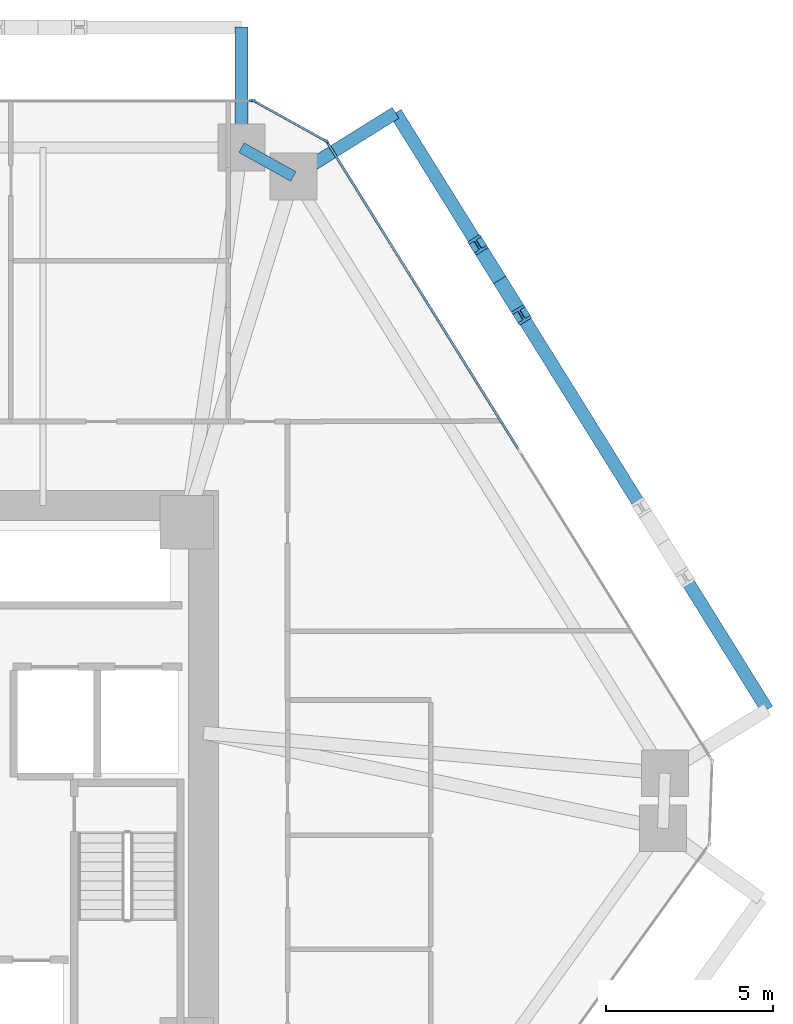
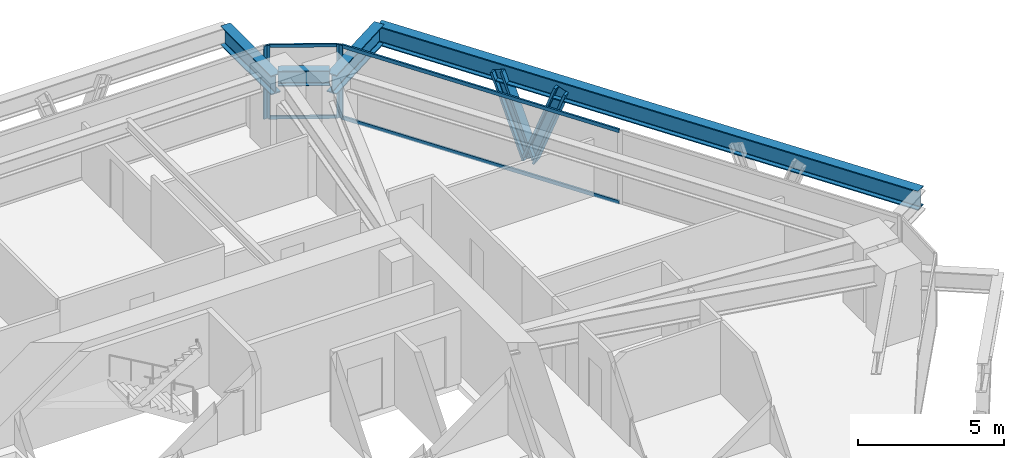
# One storey, part 9 of 15: 10 members, 4 beams, 3 elements without a shape of their own.
"""IFC4 building model written with IfcOpenShell, lengths in metres."""

from ifc_helpers import new_model, si_unit, direction, frame, origin, origin_2d, place, context, subcontext, project, spatial, rectangle, i_section, extrude, source, transform, mapped, material, layer, layer_set, material_profile, profile_set, type_object, type_shapes, element, aggregate, save


model = new_model("IFC4")

# Units and contexts
model_context = context("Model", 3, precision=1e-05, world=origin(), true_north=direction((0.0, 1.0)))
body_context = subcontext(model_context, "Body", "Model", "MODEL_VIEW")
ifc_project = project(units=[si_unit("LENGTHUNIT", "METRE"), si_unit("AREAUNIT", "SQUARE_METRE"), si_unit("VOLUMEUNIT", "CUBIC_METRE"), si_unit("PLANEANGLEUNIT", "RADIAN"), si_unit("MASSUNIT", "GRAM", prefix="KILO")], contexts=[model_context])

# Site, building, storey
site_placement = place(None, origin())
site = spatial("IfcSite", under=ifc_project, at=site_placement, CompositionType="ELEMENT")
building_placement = place(site_placement, origin())
building = spatial("IfcBuilding", under=site, at=building_placement, Name="Durnholm Broadcast Tower", CompositionType="ELEMENT")
storey_placement = place(building_placement, frame((0.0, 0.0, 42.300048828125)))
storey = spatial("IfcBuildingStorey", under=building, at=storey_placement, Name="L09", CompositionType="ELEMENT", Elevation=42.300048828125)

# Beams
ifc_material_1 = material(Name="Steel ASTM A992 Grade 50", Category="steel")
ifc_material_profile_1 = material_profile(ifc_material_1, i_section(OverallWidth=0.3291015625, OverallDepth=0.635009765625, WebThickness=0.017822265625, FlangeThickness=0.031005859375, FilletRadius=0.02783203125, at=origin_2d()), Name="W24X162")
ifc_profile_set_1 = profile_set([ifc_material_profile_1], Name="Steel ASTM A992 Grade 50")
beam_type_1 = type_object("IfcBeamType", Name="STL-SP-W24X162", PredefinedType="SPANDREL", material=ifc_profile_set_1)
shared_shape_1 = source(origin(), body_context, "Body", "SweptSolid", [
    extrude(i_section(OverallWidth=0.3291015625, OverallDepth=0.635009765625, WebThickness=0.017822265625, FlangeThickness=0.031005859375, FilletRadius=0.02783203125, at=origin_2d()), origin(), (0.0, 0.0, 1.0), 1.774658203125),
])
type_shapes(beam_type_1, [shared_shape_1])
beam_1_placement = place(storey_placement, frame((11.43115234375, 19.0, 2.7275390625), z_axis=(0.874248107979, -0.485479397806, 0.0), x_axis=(0.485479397806, 0.874248107979, 0.0)))
element("IfcBeam", 1, at=beam_1_placement, inside=storey, type_object=beam_type_1, Name="L09 perimeter spandrel girder 06", PredefinedType="SPANDREL", context=body_context, shape_type="MappedRepresentation", body=[
    mapped(shared_shape_1, transform((0.0, 0.0, 0.0), x_axis=(1.0, 0.0, 0.0), y_axis=(0.0, 1.0, 0.0), z_axis=(0.0, 0.0, 1.0), scale=1.0)),
])
ifc_material_profile_2 = material_profile(ifc_material_1, i_section(OverallWidth=0.385009765625, OverallDepth=0.802978515625, WebThickness=0.023681640625, FlangeThickness=0.0419921875, FilletRadius=0.032958984375, at=origin_2d()), Name="W30X261")
ifc_profile_set_2 = profile_set([ifc_material_profile_2], Name="Steel ASTM A992 Grade 50")
beam_type_2 = type_object("IfcBeamType", Name="BM-EXO-TIE", PredefinedType="USERDEFINED", material=ifc_profile_set_2)
shared_shape_2 = source(origin(), body_context, "Body", "SweptSolid", [
    extrude(i_section(OverallWidth=0.385009765625, OverallDepth=0.802978515625, WebThickness=0.023681640625, FlangeThickness=0.0419921875, FilletRadius=0.032958984375, at=origin_2d()), origin(), (0.0, 0.0, 1.0), 3.4560546875),
])
for number, where, z_axis, x_axis, name in (
    (2, (13.10498046875, 18.214599609375, 2.30859375), (0.848854443891, 0.528626648105, 0.0), (-0.528626648105, 0.848854443891, 0.0), "L09 exoskeleton stand-off tie bracket F3.2"),
    (3, (11.43115234375, 19.14404296875, 2.30859375), (0.0, 1.0, 0.0), (-1.0, 0.0, 0.0), "L09 exoskeleton stand-off tie bracket F4.1"),
):
    element("IfcBeam", number, at=place(storey_placement, frame(where, z_axis=z_axis, x_axis=x_axis)), inside=storey, type_object=beam_type_2, Name=name, ObjectType="GIRDER", PredefinedType="USERDEFINED", context=body_context, shape_type="MappedRepresentation", body=[
        mapped(shared_shape_2, transform((0.0, 0.0, 0.0), x_axis=(1.0, 0.0, 0.0), y_axis=(0.0, 1.0, 0.0), z_axis=(0.0, 0.0, 1.0), scale=1.0)),
    ])
shared_shape_3 = source(origin(), body_context, "Body", "SweptSolid", [
    extrude(i_section(OverallWidth=0.385009765625, OverallDepth=0.802978515625, WebThickness=0.023681640625, FlangeThickness=0.0419921875, FilletRadius=0.032958984375, at=origin_2d()), origin(), (0.0, 0.0, 1.0), 21.0146484375),
])
type_shapes(beam_type_2, [shared_shape_2, shared_shape_3])
beam_2_placement = place(storey_placement, frame((27.146728515625, 2.20263671875, 2.30859375), z_axis=(-0.528590518575, 0.848876942597, 0.0), x_axis=(-0.848876942597, -0.528590518575, 0.0)))
element("IfcBeam", 4, at=beam_2_placement, inside=storey, type_object=beam_type_2, Name="L09 exoskeleton collector spandrel F3", PredefinedType="SPANDREL", context=body_context, shape_type="MappedRepresentation", body=[
    mapped(shared_shape_3, transform((0.0, 0.0, 0.0), x_axis=(1.0, 0.0, 0.0), y_axis=(0.0, 1.0, 0.0), z_axis=(0.0, 0.0, 1.0), scale=1.0)),
])

# Members
ifc_material_2 = material(Name="Steel ASTM A913 Grade 65", Category="steel")
ifc_material_profile_3 = material_profile(ifc_material_2, i_section(OverallWidth=0.43212890625, OverallDepth=0.497802734375, WebThickness=0.0556640625, FlangeThickness=0.0888671875, FilletRadius=0.030517578125, at=origin_2d()), Name="W14X500")
ifc_profile_set_3 = profile_set([ifc_material_profile_3], Name="Steel ASTM A913 Grade 65")
member_type_1 = type_object("IfcMemberType", Name="STL-DG-W14X500", PredefinedType="BRACE", material=ifc_profile_set_3)
shared_shape_4 = source(origin(), body_context, "Body", "SweptSolid", [
    extrude(i_section(OverallWidth=0.43212890625, OverallDepth=0.497802734375, WebThickness=0.0556640625, FlangeThickness=0.0888671875, FilletRadius=0.030517578125, at=origin_2d()), origin(), (0.0, 0.0, 1.0), 3.523193359375),
])
type_shapes(member_type_1, [shared_shape_4])
for number, where, z_axis, x_axis, name in (
    (5, (19.14892578125, 15.04638671875, -0.991455078125), (0.185090383068, -0.297281072018, 0.936677913861), (0.848908635391, 0.528539618911, 0.0), "L09 stand-off diagrid brace F3.D2.1"),
    (6, (19.14892578125, 15.04638671875, -0.991455078125), (-0.185090383068, 0.297281072018, 0.936677913861), (-0.848908635391, -0.528539618911, 0.0), "L09 stand-off diagrid brace F3.D2.2"),
):
    element("IfcMember", number, at=place(storey_placement, frame(where, z_axis=z_axis, x_axis=x_axis)), inside=storey, type_object=member_type_1, Name=name, PredefinedType="BRACE", context=body_context, shape_type="MappedRepresentation", body=[
        mapped(shared_shape_4, transform((0.0, 0.0, 0.0), x_axis=(1.0, 0.0, 0.0), y_axis=(0.0, 1.0, 0.0), z_axis=(0.0, 0.0, 1.0), scale=1.0)),
    ])

# Curtain wall, members
ifc_material_3 = material(Name="Aluminium and Solar Control IGU", Category="aluminium")
ifc_layer_1 = layer(ifc_material_3, 0.1650390625)
ifc_layer_set_1 = layer_set([ifc_layer_1], Name="Aluminium and Solar Control IGU")
curtain_wall_type_1 = type_object("IfcCurtainWallType", Name="CW-SYS-5", PredefinedType="NOTDEFINED", material=ifc_layer_set_1)
curtain_wall_1_placement = place(storey_placement, origin())
curtain_wall_1 = element("IfcCurtainWall", 7, at=curtain_wall_1_placement, inside=storey, type_object=curtain_wall_type_1, Name="L09 curtain wall CW-CORNER CW-L09-CRN-05", PredefinedType="NOTDEFINED")
ifc_material_4 = material(Name="Aluminium 6063-T6", Category="aluminium")
ifc_material_profile_4 = material_profile(ifc_material_4, rectangle(XDim=0.06494140625, YDim=0.1650390625, at=origin_2d()), Name="CWM65X165")
ifc_profile_set_4 = profile_set([ifc_material_profile_4], Name="Aluminium 6063-T6")
member_type_2 = type_object("IfcMemberType", Name="CW-SYS-5-MUL", PredefinedType="MULLION", material=ifc_profile_set_4)
shared_shape_5 = source(origin(), body_context, "Body", "SweptSolid", [
    extrude(rectangle(XDim=0.06494140625, YDim=0.1650390625, at=origin_2d()), origin(), (0.0, 0.0, 1.0), 3.06005859375),
])
type_shapes(member_type_2, [shared_shape_5])
member_1_placement = place(storey_placement, frame((11.822265625, 20.38427734375, 0.0), z_axis=(0.0, 0.0, 1.0), x_axis=(0.485483299359, 0.874245941394, 0.0)))
member_1 = element("IfcMember", 8, at=member_1_placement, type_object=member_type_2, Name="CW-CORNER mullion 1", PredefinedType="MULLION", context=body_context, shape_type="MappedRepresentation", body=[
    mapped(shared_shape_5, transform((0.0, 0.0, 0.0), x_axis=(1.0, 0.0, 0.0), y_axis=(0.0, 1.0, 0.0), z_axis=(0.0, 0.0, 1.0), scale=1.0)),
])
member_2_placement = place(storey_placement, frame((13.950927734375, 19.2021484375, 0.0), z_axis=(0.0, 0.0, 1.0), x_axis=(0.485483299359, 0.874245941394, 0.0)))
member_2 = element("IfcMember", 9, at=member_2_placement, type_object=member_type_2, Name="CW-CORNER mullion 2", PredefinedType="MULLION", context=body_context, shape_type="MappedRepresentation", body=[
    mapped(shared_shape_5, transform((0.0, 0.0, 0.0), x_axis=(1.0, 0.0, 0.0), y_axis=(0.0, 1.0, 0.0), z_axis=(0.0, 0.0, 1.0), scale=1.0)),
])
ifc_material_profile_5 = material_profile(ifc_material_4, rectangle(XDim=0.06494140625, YDim=0.1298828125, at=origin_2d()), Name="CWT65X130")
ifc_profile_set_5 = profile_set([ifc_material_profile_5], Name="Aluminium 6063-T6")
member_type_3 = type_object("IfcMemberType", Name="CW-SYS-5-TRN", PredefinedType="USERDEFINED", material=ifc_profile_set_5)
shared_shape_6 = source(origin(), body_context, "Body", "SweptSolid", [
    extrude(rectangle(XDim=0.06494140625, YDim=0.1298828125, at=origin_2d()), origin(), (0.0, 0.0, 1.0), 2.3701171875),
])
type_shapes(member_type_3, [shared_shape_6])
member_3_placement = place(storey_placement, frame((11.8505859375, 20.368408203125, 0.032470703125), z_axis=(0.874244723151, -0.485485493132, 0.0), x_axis=(0.485485493132, 0.874244723151, 0.0)))
member_3 = element("IfcMember", 10, at=member_3_placement, type_object=member_type_3, Name="CW-CORNER transom 1.1", ObjectType="TRANSOM", PredefinedType="USERDEFINED", context=body_context, shape_type="MappedRepresentation", body=[
    mapped(shared_shape_6, transform((0.0, 0.0, 0.0), x_axis=(1.0, 0.0, 0.0), y_axis=(0.0, 1.0, 0.0), z_axis=(0.0, 0.0, 1.0), scale=1.0)),
])
member_4_placement = place(storey_placement, frame((11.8505859375, 20.368408203125, 3.02734375), z_axis=(0.874244723151, -0.485485493132, 0.0), x_axis=(0.485485493132, 0.874244723151, 0.0)))
member_4 = element("IfcMember", 11, at=member_4_placement, type_object=member_type_3, Name="CW-CORNER transom 1.2", ObjectType="TRANSOM", PredefinedType="USERDEFINED", context=body_context, shape_type="MappedRepresentation", body=[
    mapped(shared_shape_6, transform((0.0, 0.0, 0.0), x_axis=(1.0, 0.0, 0.0), y_axis=(0.0, 1.0, 0.0), z_axis=(0.0, 0.0, 1.0), scale=1.0)),
])
aggregate(curtain_wall_1, [member_1, member_2, member_3, member_4])

# Curtain wall, member
ifc_layer_2 = layer(ifc_material_3, 0.18994140625)
ifc_layer_set_2 = layer_set([ifc_layer_2], Name="Aluminium and Solar Control IGU")
curtain_wall_type_2 = type_object("IfcCurtainWallType", Name="CW-SYS-3", PredefinedType="NOTDEFINED", material=ifc_layer_set_2)
curtain_wall_2_placement = place(storey_placement, origin())
curtain_wall_2 = element("IfcCurtainWall", 12, at=curtain_wall_2_placement, inside=storey, type_object=curtain_wall_type_2, Name="L09 curtain wall CW-Z12-VIS CW-L09-F04", PredefinedType="NOTDEFINED")
ifc_material_profile_6 = material_profile(ifc_material_4, rectangle(XDim=0.070068359375, YDim=0.18994140625, at=origin_2d()), Name="CWM70X190")
ifc_profile_set_6 = profile_set([ifc_material_profile_6], Name="Aluminium 6063-T6")
member_type_4 = type_object("IfcMemberType", Name="CW-SYS-3-MUL", PredefinedType="MULLION", material=ifc_profile_set_6)
shared_shape_7 = source(origin(), body_context, "Body", "SweptSolid", [
    extrude(rectangle(XDim=0.070068359375, YDim=0.18994140625, at=origin_2d()), origin(), (0.0, 0.0, 1.0), 3.06005859375),
])
type_shapes(member_type_4, [shared_shape_7])
member_5_placement = place(storey_placement, frame((11.7587890625, 20.39990234375, 0.0), z_axis=(0.0, 0.0, 1.0), x_axis=(0.0, 1.0, 0.0)))
member_5 = element("IfcMember", 13, at=member_5_placement, type_object=member_type_4, Name="CW-Z12-VIS mullion 3", PredefinedType="MULLION", context=body_context, shape_type="MappedRepresentation", body=[
    mapped(shared_shape_7, transform((0.0, 0.0, 0.0), x_axis=(1.0, 0.0, 0.0), y_axis=(0.0, 1.0, 0.0), z_axis=(0.0, 0.0, 1.0), scale=1.0)),
])
aggregate(curtain_wall_2, [member_5])

# Curtain wall, members
curtain_wall_3_placement = place(storey_placement, origin())
curtain_wall_3 = element("IfcCurtainWall", 14, at=curtain_wall_3_placement, inside=storey, type_object=curtain_wall_type_2, Name="L09 curtain wall CW-Z12-VIS CW-L09-F06", PredefinedType="NOTDEFINED")
member_6_placement = place(storey_placement, frame((13.997802734375, 19.156494140625, 0.0), z_axis=(0.0, 0.0, 1.0), x_axis=(0.848875785503, 0.528592376777, 0.0)))
member_6 = element("IfcMember", 15, at=member_6_placement, type_object=member_type_4, Name="CW-Z12-VIS mullion 1", PredefinedType="MULLION", context=body_context, shape_type="MappedRepresentation", body=[
    mapped(shared_shape_7, transform((0.0, 0.0, 0.0), x_axis=(1.0, 0.0, 0.0), y_axis=(0.0, 1.0, 0.0), z_axis=(0.0, 0.0, 1.0), scale=1.0)),
])
ifc_material_profile_7 = material_profile(ifc_material_4, rectangle(XDim=0.070068359375, YDim=0.14990234375, at=origin_2d()), Name="CWT70X150")
ifc_profile_set_7 = profile_set([ifc_material_profile_7], Name="Aluminium 6063-T6")
member_type_5 = type_object("IfcMemberType", Name="CW-SYS-3-TRN", PredefinedType="USERDEFINED", material=ifc_profile_set_7)
shared_shape_8 = source(origin(), body_context, "Body", "SweptSolid", [
    extrude(rectangle(XDim=0.070068359375, YDim=0.14990234375, at=origin_2d()), origin(), (0.0, 0.0, 1.0), 10.796630859375),
])
type_shapes(member_type_5, [shared_shape_8])
member_7_placement = place(storey_placement, frame((14.016357421875, 19.126953125, 0.034912109375), z_axis=(0.528591657678, -0.848876233283, 0.0), x_axis=(0.848876233283, 0.528591657678, 0.0)))
member_7 = element("IfcMember", 16, at=member_7_placement, type_object=member_type_5, Name="CW-Z12-VIS transom 1.1", ObjectType="TRANSOM", PredefinedType="USERDEFINED", context=body_context, shape_type="MappedRepresentation", body=[
    mapped(shared_shape_8, transform((0.0, 0.0, 0.0), x_axis=(1.0, 0.0, 0.0), y_axis=(0.0, 1.0, 0.0), z_axis=(0.0, 0.0, 1.0), scale=1.0)),
])
member_8_placement = place(storey_placement, frame((14.016357421875, 19.126953125, 3.02490234375), z_axis=(0.528591657678, -0.848876233283, 0.0), x_axis=(0.848876233283, 0.528591657678, 0.0)))
member_8 = element("IfcMember", 17, at=member_8_placement, type_object=member_type_5, Name="CW-Z12-VIS transom 1.2", ObjectType="TRANSOM", PredefinedType="USERDEFINED", context=body_context, shape_type="MappedRepresentation", body=[
    mapped(shared_shape_8, transform((0.0, 0.0, 0.0), x_axis=(1.0, 0.0, 0.0), y_axis=(0.0, 1.0, 0.0), z_axis=(0.0, 0.0, 1.0), scale=1.0)),
])
aggregate(curtain_wall_3, [member_6, member_7, member_8])

save(model, "model.ifc")
